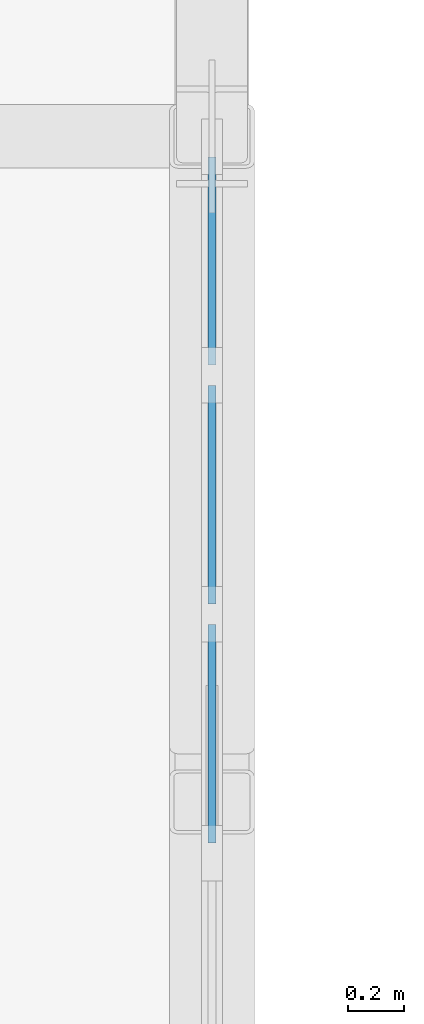
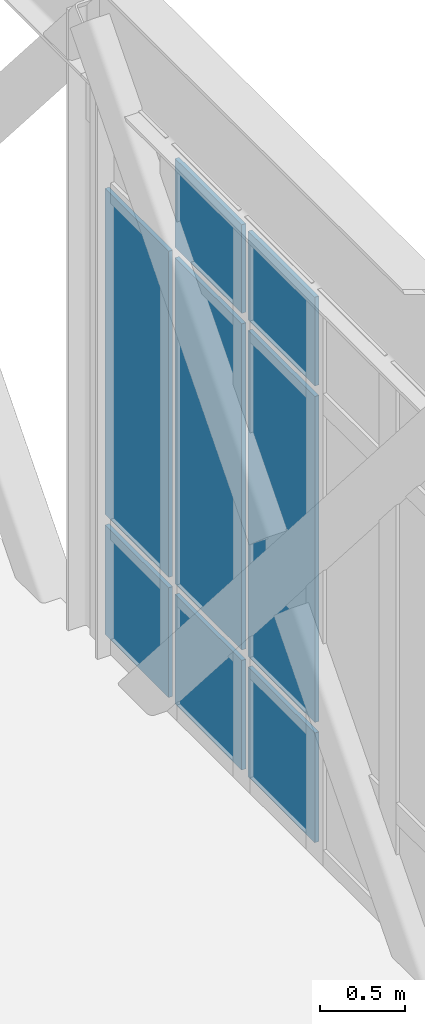
# One storey, part 70 of 107: 8 plates, 1 element without a shape of its own.
"""IFC4 building model written with IfcOpenShell, lengths in metres."""

from ifc_helpers import new_model, si_unit, direction, frame, origin, origin_2d, place, context, subcontext, project, spatial, rectangle, extrude, material, layer, layer_set, type_object, element, aggregate, save


model = new_model("IFC4")

# Units and contexts
model_context = context("Model", 3, precision=1e-05, world=origin(), true_north=direction((0.0, 1.0)))
body_context = subcontext(model_context, "Body", "Model", "MODEL_VIEW")
ifc_project = project(units=[si_unit("LENGTHUNIT", "METRE"), si_unit("AREAUNIT", "SQUARE_METRE"), si_unit("VOLUMEUNIT", "CUBIC_METRE"), si_unit("PLANEANGLEUNIT", "RADIAN"), si_unit("MASSUNIT", "GRAM", prefix="KILO")], contexts=[model_context])

# Site, building, storey
site_placement = place(None, origin())
site = spatial("IfcSite", under=ifc_project, at=site_placement, CompositionType="ELEMENT")
building_placement = place(site_placement, origin())
building = spatial("IfcBuilding", under=site, at=building_placement, Name="Tarnveldt Square Police Headquarters", CompositionType="ELEMENT")
storey_placement = place(building_placement, frame((0.0, 0.0, 14.699951171875)))
storey = spatial("IfcBuildingStorey", under=building, at=storey_placement, Name="L03", CompositionType="ELEMENT", Elevation=14.699951171875)

# Curtain wall, plates
ifc_material = material(Name="Triple-glazed low-e laminated vision glass", Category="glass")
curtain_wall_type = type_object("IfcCurtainWallType", Name="CW-LT-430x407", PredefinedType="USERDEFINED", material=ifc_material)
curtain_wall_placement = place(storey_placement, origin())
curtain_wall = element("IfcCurtainWall", 1, at=curtain_wall_placement, inside=storey, type_object=curtain_wall_type, Name="L03 Curtain Wall CW-L03-039", ObjectType="GLAZED CURTAIN WALL", PredefinedType="USERDEFINED")
ifc_layer = layer(ifc_material, 0.028076171875)
ifc_layer_set = layer_set([ifc_layer], Name="Triple-glazed low-e laminated vision glass")
plate_type = type_object("IfcPlateType", Name="CWP-VIS-28", PredefinedType="CURTAIN_PANEL", material=ifc_layer_set)
plate_1_placement = place(storey_placement, frame((64.800048828125, 18.35107421875, 0.074951171875), z_axis=(0.0, 0.0, 1.0), x_axis=(0.0, 1.0, 0.0)))
plate_1 = element("IfcPlate", 2, at=plate_1_placement, type_object=plate_type, Name="CW-LT15 panel 3.1", PredefinedType="CURTAIN_PANEL", context=body_context, shape_type="SweptSolid", body=[
    extrude(rectangle(XDim=0.78466796875, YDim=0.028076171875, at=origin_2d()), origin(), (0.0, 0.0, 1.0), 0.78759765625),
])
plate_2_placement = place(storey_placement, frame((64.800048828125, 18.35107421875, 0.9375), z_axis=(0.0, 0.0, 1.0), x_axis=(0.0, 1.0, 0.0)))
plate_2 = element("IfcPlate", 3, at=plate_2_placement, type_object=plate_type, Name="CW-LT15 panel 3.2", PredefinedType="CURTAIN_PANEL", context=body_context, shape_type="SweptSolid", body=[
    extrude(rectangle(XDim=0.78466796875, YDim=0.028076171875, at=origin_2d()), origin(), (0.0, 0.0, 1.0), 2.341064453125),
])
plate_3_placement = place(storey_placement, frame((64.800048828125, 18.35107421875, 3.353515625), z_axis=(0.0, 0.0, 1.0), x_axis=(0.0, 1.0, 0.0)))
plate_3 = element("IfcPlate", 4, at=plate_3_placement, type_object=plate_type, Name="CW-LT15 panel 3.3", PredefinedType="CURTAIN_PANEL", context=body_context, shape_type="SweptSolid", body=[
    extrude(rectangle(XDim=0.78466796875, YDim=0.028076171875, at=origin_2d()), origin(), (0.0, 0.0, 1.0), 0.637451171875),
])
plate_4_placement = place(storey_placement, frame((64.800048828125, 19.210693359375, 0.074951171875), z_axis=(0.0, 0.0, 1.0), x_axis=(0.0, 1.0, 0.0)))
plate_4 = element("IfcPlate", 5, at=plate_4_placement, type_object=plate_type, Name="CW-LT15 panel 4.1", PredefinedType="CURTAIN_PANEL", context=body_context, shape_type="SweptSolid", body=[
    extrude(rectangle(XDim=0.78466796875, YDim=0.028076171875, at=origin_2d()), origin(), (0.0, 0.0, 1.0), 0.78759765625),
])
plate_5_placement = place(storey_placement, frame((64.800048828125, 19.210693359375, 0.9375), z_axis=(0.0, 0.0, 1.0), x_axis=(0.0, 1.0, 0.0)))
plate_5 = element("IfcPlate", 6, at=plate_5_placement, type_object=plate_type, Name="CW-LT15 panel 4.2", PredefinedType="CURTAIN_PANEL", context=body_context, shape_type="SweptSolid", body=[
    extrude(rectangle(XDim=0.78466796875, YDim=0.028076171875, at=origin_2d()), origin(), (0.0, 0.0, 1.0), 2.341064453125),
])
plate_6_placement = place(storey_placement, frame((64.800048828125, 19.210693359375, 3.353515625), z_axis=(0.0, 0.0, 1.0), x_axis=(0.0, 1.0, 0.0)))
plate_6 = element("IfcPlate", 7, at=plate_6_placement, type_object=plate_type, Name="CW-LT15 panel 4.3", PredefinedType="CURTAIN_PANEL", context=body_context, shape_type="SweptSolid", body=[
    extrude(rectangle(XDim=0.78466796875, YDim=0.028076171875, at=origin_2d()), origin(), (0.0, 0.0, 1.0), 0.637451171875),
])
plate_7_placement = place(storey_placement, frame((64.800048828125, 20.051513671875, 0.074951171875), z_axis=(0.0, 0.0, 1.0), x_axis=(0.0, 1.0, 0.0)))
plate_7 = element("IfcPlate", 8, at=plate_7_placement, type_object=plate_type, Name="CW-LT15 panel 5.1", PredefinedType="CURTAIN_PANEL", context=body_context, shape_type="SweptSolid", body=[
    extrude(rectangle(XDim=0.7470703125, YDim=0.028076171875, at=origin_2d()), origin(), (0.0, 0.0, 1.0), 0.78759765625),
])
plate_8_placement = place(storey_placement, frame((64.800048828125, 20.051513671875, 0.9375), z_axis=(0.0, 0.0, 1.0), x_axis=(0.0, 1.0, 0.0)))
plate_8 = element("IfcPlate", 9, at=plate_8_placement, type_object=plate_type, Name="CW-LT15 panel 5.2", PredefinedType="CURTAIN_PANEL", context=body_context, shape_type="SweptSolid", body=[
    extrude(rectangle(XDim=0.7470703125, YDim=0.028076171875, at=origin_2d()), origin(), (0.0, 0.0, 1.0), 2.341064453125),
])
aggregate(curtain_wall, [plate_1, plate_2, plate_3, plate_4, plate_5, plate_6, plate_7, plate_8])

save(model, "model.ifc")
